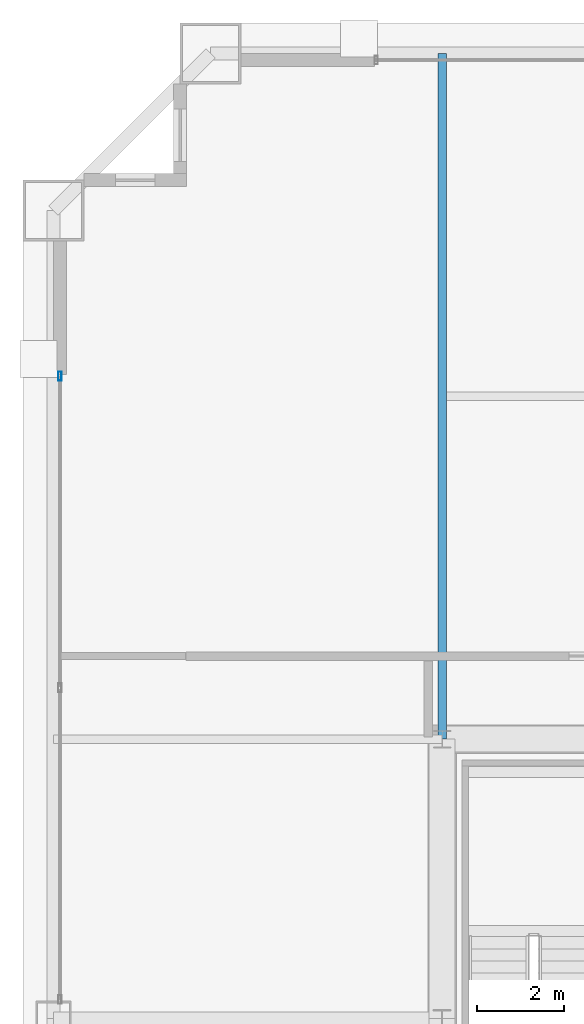
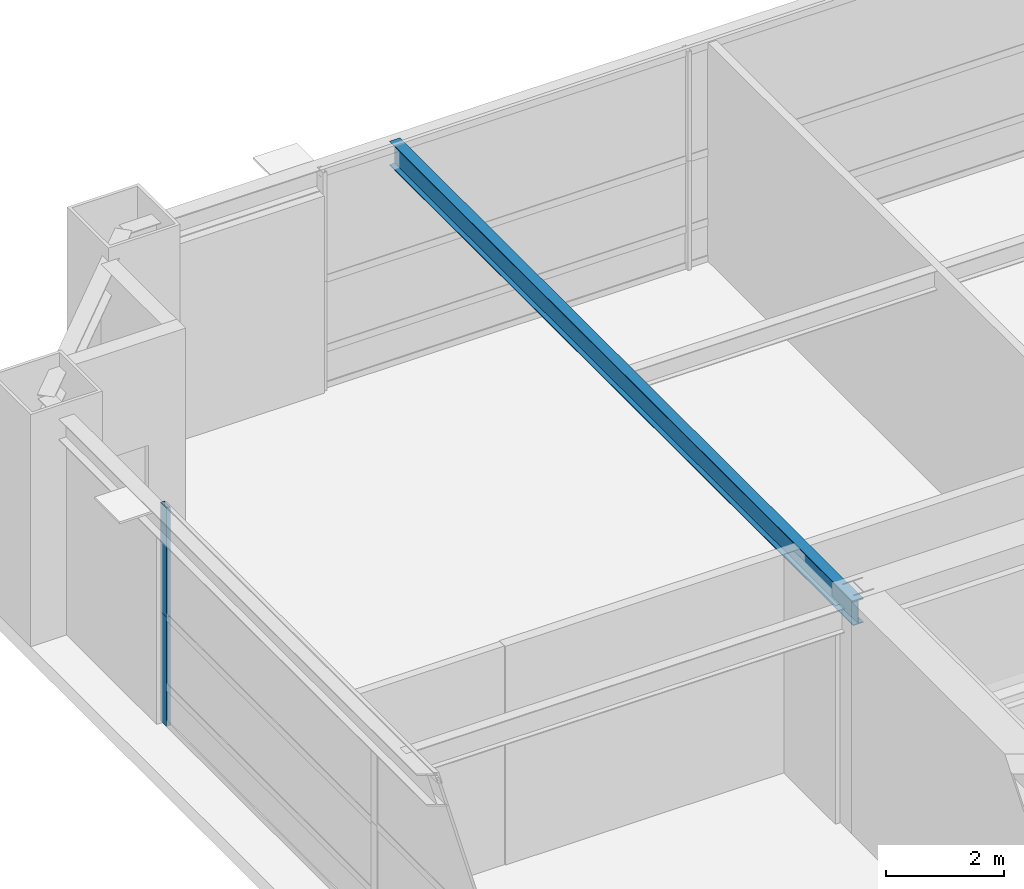
# One storey, part 21 of 34: 2 members, 1 beam, 1 element without a shape of its own.
"""IFC4 building model written with IfcOpenShell, lengths in metres."""

from ifc_helpers import new_model, si_unit, direction, frame, origin, origin_2d, place, context, subcontext, project, spatial, hollow_rectangle, i_section, extrude, source, transform, mapped, material, layer, layer_set, material_profile, profile_set, type_object, element, aggregate, save


model = new_model("IFC4")

# Units and contexts
model_context = context("Model", 3, precision=1e-05, world=origin(), true_north=direction((0.0, 1.0)))
body_context = subcontext(model_context, "Body", "Model", "MODEL_VIEW")
ifc_project = project(units=[si_unit("LENGTHUNIT", "METRE"), si_unit("AREAUNIT", "SQUARE_METRE"), si_unit("VOLUMEUNIT", "CUBIC_METRE"), si_unit("PLANEANGLEUNIT", "RADIAN"), si_unit("MASSUNIT", "GRAM", prefix="KILO"), si_unit("THERMODYNAMICTEMPERATUREUNIT", "KELVIN"), si_unit("POWERUNIT", "WATT")], contexts=[model_context])

# Site, building, storey
site_placement = place(None, origin())
site = spatial("IfcSite", under=ifc_project, at=site_placement, CompositionType="ELEMENT")
building_placement = place(site_placement, origin())
building = spatial("IfcBuilding", under=site, at=building_placement, Name="Yuzanri Waterfront Tower", CompositionType="ELEMENT")
storey_placement = place(building_placement, frame((0.0, 0.0, 171.60009765625)))
storey = spatial("IfcBuildingStorey", under=building, at=storey_placement, Name="L45", CompositionType="ELEMENT", Elevation=171.60009765625)

# Beam
ifc_material_1 = material(Name="Steel Q355B", Category="steel")
ifc_material_profile_1 = material_profile(ifc_material_1, i_section(OverallWidth=0.199951171875, OverallDepth=0.5, WebThickness=0.010009765625, FlangeThickness=0.01611328125, at=origin_2d()), Name="HN 500x200x10x16")
ifc_profile_set_1 = profile_set([ifc_material_profile_1], Name="Steel Q355B")
beam_type = type_object("IfcBeamType", Name="Secondary Floor Beam Q355B HN 500x200", PredefinedType="BEAM", material=ifc_profile_set_1)
shared_shape_1 = source(origin(), body_context, "Body", "SweptSolid", [
    extrude(i_section(OverallWidth=0.199951171875, OverallDepth=0.5, WebThickness=0.010009765625, FlangeThickness=0.01611328125, at=origin_2d()), origin(), (0.0, 0.0, 1.0), 15.699951171875),
])
beam_placement = place(storey_placement, frame((23.800048828125, 32.199951171875, 4.27001953125), z_axis=(0.0, 1.0, 0.0), x_axis=(-1.0, 0.0, 0.0)))
element("IfcBeam", 1, at=beam_placement, inside=storey, type_object=beam_type, Name="L45 North-West Core Line Beam", PredefinedType="BEAM", context=body_context, shape_type="MappedRepresentation", body=[
    mapped(shared_shape_1, transform((0.0, 0.0, 0.0), scale=1.0)),
])

# Curtain wall, members
ifc_material_2 = material(Name="Anodized Architectural Bronze", Category="metal")
ifc_layer = layer(ifc_material_2, 0.159912109375)
ifc_layer_set = layer_set([ifc_layer], Name="Anodized Architectural Bronze")
curtain_wall_type = type_object("IfcCurtainWallType", Name="Anodized Bronze Sky-Lobby Triple-Glazed Feature Curtain Wall 7500", PredefinedType="NOTDEFINED", material=ifc_layer_set)
curtain_wall_placement = place(storey_placement, origin())
curtain_wall = element("IfcCurtainWall", 2, at=curtain_wall_placement, inside=storey, type_object=curtain_wall_type, Name="L45 Curtain Wall CW-L45-WR", PredefinedType="NOTDEFINED")
ifc_material_3 = material(Name="Anodized Architectural Bronze", Category="metal")
ifc_material_profile_2 = material_profile(ifc_material_3, hollow_rectangle(XDim=0.074951171875, YDim=0.199951171875, WallThickness=0.00390625, at=origin_2d()), Name="CWM 75x200")
ifc_profile_set_2 = profile_set([ifc_material_profile_2], Name="Anodized Architectural Bronze")
member_type = type_object("IfcMemberType", Name="Anodized Bronze Primary Curtain-Wall Mullion 75x200", PredefinedType="MULLION", material=ifc_profile_set_2)
shared_shape_2 = source(origin(), body_context, "Body", "SweptSolid", [
    extrude(hollow_rectangle(XDim=0.074951171875, YDim=0.199951171875, WallThickness=0.00390625, at=origin_2d()), origin(), (0.0, 0.0, 1.0), 2.258056640625),
])
member_1_placement = place(storey_placement, frame((15.050048828125, 40.510009765625, 2.261962890625), z_axis=(0.0, 0.0, 1.0), x_axis=(1.0, 0.0, 0.0)))
member_1 = element("IfcMember", 3, at=member_1_placement, type_object=member_type, Name="CW-L45-WR Upper Mullion 02", PredefinedType="MULLION", context=body_context, shape_type="MappedRepresentation", body=[
    mapped(shared_shape_2, transform((0.0, 0.0, 0.0), scale=1.0)),
])
shared_shape_3 = source(origin(), body_context, "Body", "SweptSolid", [
    extrude(hollow_rectangle(XDim=0.074951171875, YDim=0.199951171875, WallThickness=0.00390625, at=origin_2d()), origin(), (0.0, 0.0, 1.0), 2.2578125),
])
member_2_placement = place(storey_placement, frame((15.050048828125, 40.510009765625, 0.0), z_axis=(0.0, 0.0, 1.0), x_axis=(1.0, 0.0, 0.0)))
member_2 = element("IfcMember", 4, at=member_2_placement, type_object=member_type, Name="CW-L45-WR Lower Mullion 02", PredefinedType="MULLION", context=body_context, shape_type="MappedRepresentation", body=[
    mapped(shared_shape_3, transform((0.0, 0.0, 0.0), scale=1.0)),
])
aggregate(curtain_wall, [member_2, member_1])

save(model, "model.ifc")
